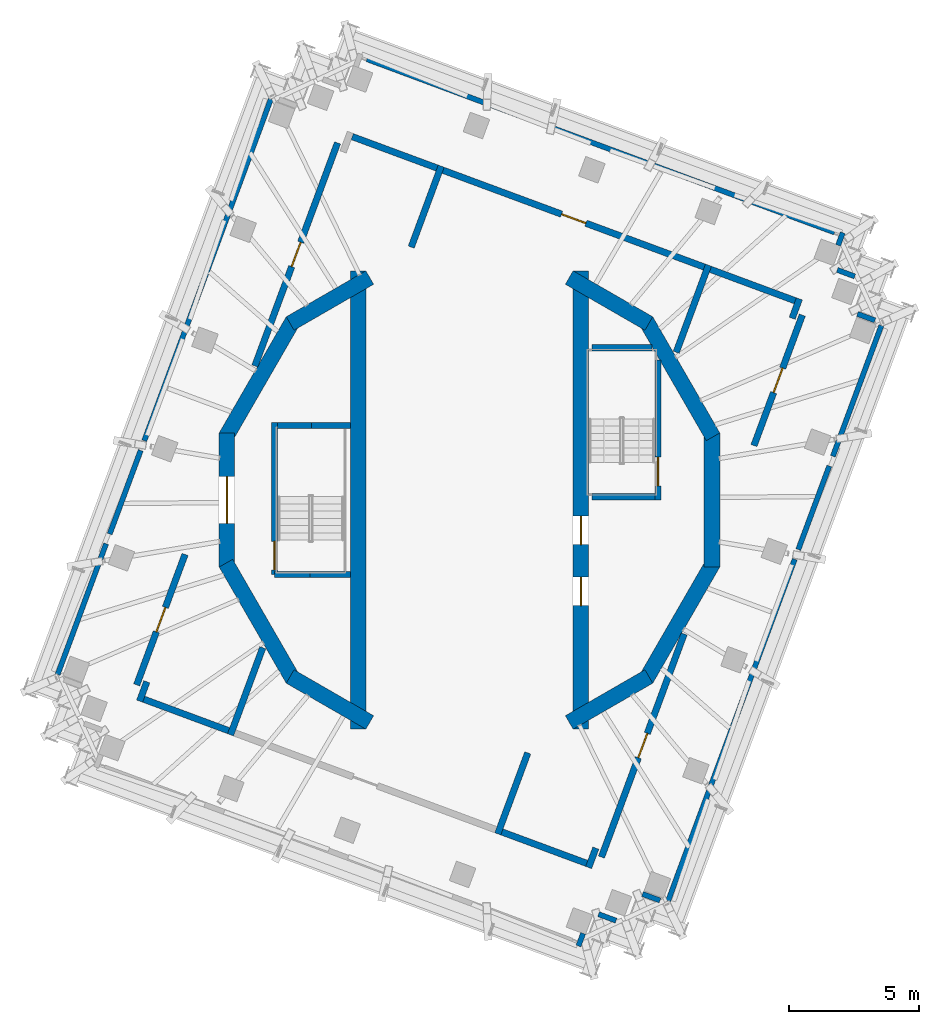
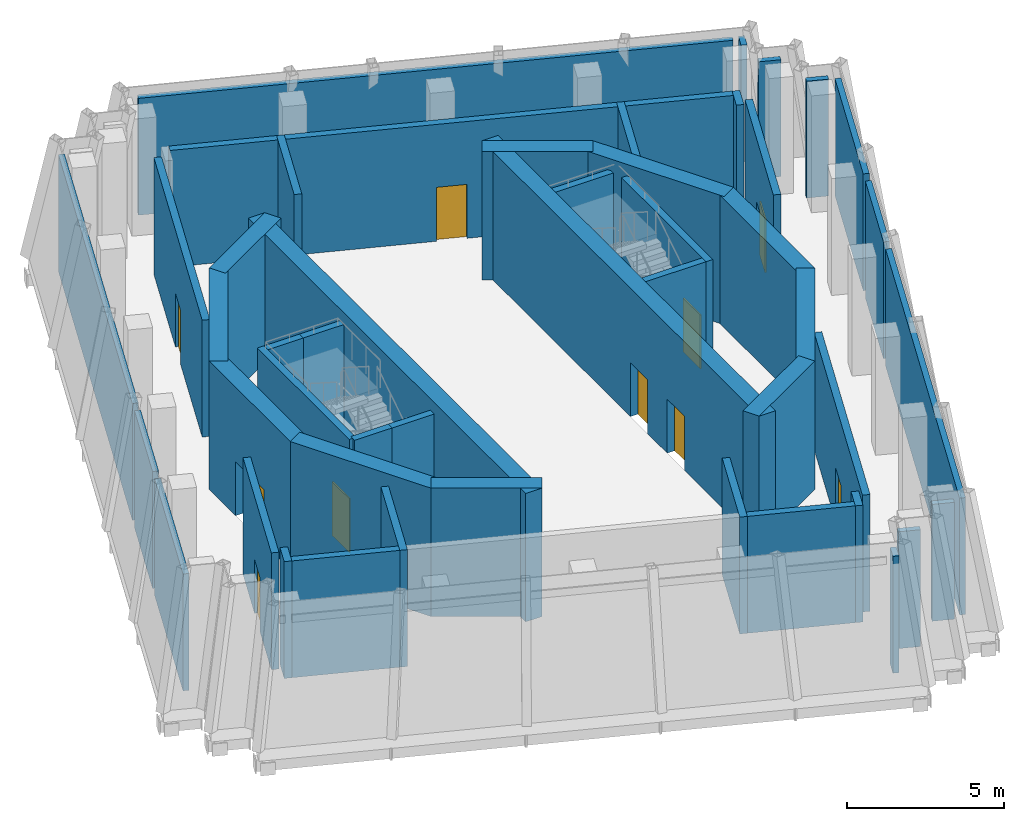
# One storey, part 5 of 13: 49 walls, 10 doors, 10 openings.
"""IFC4 building model written with IfcOpenShell, lengths in metres."""

from ifc_helpers import new_model, si_unit, direction, frame, frame_2d, origin, place, context, subcontext, project, spatial, rectangle, extrude, material, layer, layer_set, type_object, element, fill, save


model = new_model("IFC4")

# Units and contexts
model_context = context("Model", 3, precision=1e-05, world=origin(), true_north=direction((0.0, 1.0)))
body_context = subcontext(model_context, "Body", "Model", "MODEL_VIEW")
ifc_project = project(units=[si_unit("LENGTHUNIT", "METRE"), si_unit("AREAUNIT", "SQUARE_METRE"), si_unit("VOLUMEUNIT", "CUBIC_METRE"), si_unit("PLANEANGLEUNIT", "RADIAN"), si_unit("MASSUNIT", "GRAM", prefix="KILO")], contexts=[model_context])

# Site, building, storey
site_placement = place(None, origin())
site = spatial("IfcSite", under=ifc_project, at=site_placement, CompositionType="ELEMENT")
building_placement = place(site_placement, origin())
building = spatial("IfcBuilding", under=site, at=building_placement, Name="Cantera Rosa Tower", CompositionType="ELEMENT")
storey_placement = place(building_placement, frame((0.0, 0.0, 355.699951171875)))
storey = spatial("IfcBuildingStorey", under=building, at=storey_placement, Name="L80", CompositionType="ELEMENT", Elevation=355.699951171875)

# Walls
ifc_material_1 = material(Name="Masonry blockwork", Category="masonry")
ifc_layer_1 = layer(ifc_material_1, 0.199951171875)
ifc_layer_set_1 = layer_set([ifc_layer_1], Name="Blockwork partition 200")
wall_type_1 = type_object("IfcWallType", Name="Blockwork partition 200", PredefinedType="PARTITIONING", material=ifc_layer_set_1)
wall_1_placement = place(storey_placement, frame((5.655517578125, -16.23388671875, 0.0), z_axis=(0.0, 0.0, 1.0), x_axis=(-0.937646454499, 0.347590457816, 0.0)))
element("IfcWall", 1, at=wall_1_placement, inside=storey, type_object=wall_type_1, Name="Partition L80-21", PredefinedType="PARTITIONING", context=body_context, shape_type="SweptSolid", body=[
    extrude(rectangle(XDim=0.719970703125, YDim=0.199951171875, at=frame_2d((0.35986328125, 0.0))), origin(), (0.0, 0.0, 1.0), 4.550048828125),
])
wall_2_placement = place(storey_placement, frame((4.20556640625, -17.210693359375, 0.0), z_axis=(0.0, 0.0, 1.0), x_axis=(0.347545352018, 0.937663174221, 0.0)))
element("IfcWall", 2, at=wall_2_placement, inside=storey, type_object=wall_type_1, Name="Partition L80-23", PredefinedType="PARTITIONING", context=body_context, shape_type="SweptSolid", body=[
    extrude(rectangle(XDim=0.516357421875, YDim=0.199951171875, at=frame_2d((0.25830078125, 0.0))), origin(), (0.0, 0.0, 1.0), 4.550048828125),
])
wall_3_placement = place(storey_placement, frame((14.22607421875, 9.82958984375, 0.0), z_axis=(0.0, 0.0, 1.0), x_axis=(0.347391322771, 0.937720250855, 0.0)))
element("IfcWall", 3, at=wall_3_placement, inside=storey, type_object=wall_type_1, Name="Partition L80-24", PredefinedType="PARTITIONING", context=body_context, shape_type="SweptSolid", body=[
    extrude(rectangle(XDim=0.5166015625, YDim=0.199951171875, at=frame_2d((0.25830078125, 0.0))), origin(), (0.0, 0.0, 1.0), 4.550048828125),
])
wall_4_placement = place(storey_placement, frame((7.351806640625, -15.45458984375, 0.0), z_axis=(0.0, 0.0, 1.0), x_axis=(-0.937756942673, 0.34729226376, 0.0)))
element("IfcWall", 4, at=wall_4_placement, inside=storey, type_object=wall_type_1, Name="Partition L80-28", PredefinedType="PARTITIONING", context=body_context, shape_type="SweptSolid", body=[
    extrude(rectangle(XDim=0.719970703125, YDim=0.199951171875, at=frame_2d((0.35986328125, 0.0))), origin(), (0.0, 0.0, 1.0), 4.550048828125),
])
wall_5_placement = place(storey_placement, frame((-15.894287109375, -6.733642578125, 0.0), z_axis=(0.0, 0.0, 1.0), x_axis=(0.347466541692, 0.937692381543, 0.0)))
element("IfcWall", 5, at=wall_5_placement, inside=storey, type_object=wall_type_1, Name="Partition L80-30", PredefinedType="PARTITIONING", context=body_context, shape_type="SweptSolid", body=[
    extrude(rectangle(XDim=5.38134765625, YDim=0.199951171875, at=frame_2d((2.690673828125, 0.0))), origin(), (0.0, 0.0, 1.0), 4.550048828125),
])
wall_6_placement = place(storey_placement, frame((-13.88525390625, -1.3125, 0.0), z_axis=(0.0, 0.0, 1.0), x_axis=(0.347464624202, 0.937693092076, 0.0)))
element("IfcWall", 6, at=wall_6_placement, inside=storey, type_object=wall_type_1, Name="Partition L80-31", PredefinedType="PARTITIONING", context=body_context, shape_type="SweptSolid", body=[
    extrude(rectangle(XDim=3.439453125, YDim=0.199951171875, at=frame_2d((1.7197265625, 0.0))), origin(), (0.0, 0.0, 1.0), 4.550048828125),
])
wall_7_placement = place(storey_placement, frame((-12.55126953125, 2.28759765625, 0.0), z_axis=(0.0, 0.0, 1.0), x_axis=(0.347486357389, 0.937685038501, 0.0)))
element("IfcWall", 7, at=wall_7_placement, inside=storey, type_object=wall_type_1, Name="Partition L80-32", PredefinedType="PARTITIONING", context=body_context, shape_type="SweptSolid", body=[
    extrude(rectangle(XDim=14.05322265625, YDim=0.199951171875, at=frame_2d((7.026611328125, 0.0))), origin(), (0.0, 0.0, 1.0), 4.550048828125),
])
wall_8_placement = place(storey_placement, frame((15.647705078125, 6.931640625, 0.0), z_axis=(0.0, 0.0, 1.0), x_axis=(-0.937687406259, 0.347479967974, 0.0)))
element("IfcWall", 8, at=wall_8_placement, inside=storey, type_object=wall_type_1, Name="Partition L80-33", PredefinedType="PARTITIONING", context=body_context, shape_type="SweptSolid", body=[
    extrude(rectangle(XDim=0.72021484375, YDim=0.199951171875, at=frame_2d((0.360107421875, 0.0))), origin(), (0.0, 0.0, 1.0), 4.550048828125),
])
wall_9_placement = place(storey_placement, frame((14.86865234375, 8.628173828125, 0.0), z_axis=(0.0, 0.0, 1.0), x_axis=(-0.937646454499, 0.347590457816, 0.0)))
element("IfcWall", 9, at=wall_9_placement, inside=storey, type_object=wall_type_1, Name="Partition L80-35", PredefinedType="PARTITIONING", context=body_context, shape_type="SweptSolid", body=[
    extrude(rectangle(XDim=0.719970703125, YDim=0.199951171875, at=frame_2d((0.35986328125, 0.0))), origin(), (0.0, 0.0, 1.0), 4.550048828125),
])
wall_10_placement = place(storey_placement, frame((14.089599609375, 10.324462890625, 0.0), z_axis=(0.0, 0.0, 1.0), x_axis=(-0.93768831021, 0.347477528619, 0.0)))
element("IfcWall", 10, at=wall_10_placement, inside=storey, type_object=wall_type_1, Name="Partition L80-37", PredefinedType="PARTITIONING", context=body_context, shape_type="SweptSolid", body=[
    extrude(rectangle(XDim=19.248046875, YDim=0.199951171875, at=frame_2d((9.6240234375, 0.0))), origin(), (0.0, 0.0, 1.0), 4.550048828125),
])
wall_11_placement = place(storey_placement, frame((7.66796875, -15.465087890625, 0.0), z_axis=(0.0, 0.0, 1.0), x_axis=(0.347486357389, 0.937685038501, 0.0)))
element("IfcWall", 11, at=wall_11_placement, inside=storey, type_object=wall_type_1, Name="Partition L80-38", PredefinedType="PARTITIONING", context=body_context, shape_type="SweptSolid", body=[
    extrude(rectangle(XDim=14.05322265625, YDim=0.199951171875, at=frame_2d((7.026611328125, 0.0))), origin(), (0.0, 0.0, 1.0), 4.550048828125),
])
wall_12_placement = place(storey_placement, frame((12.690185546875, -1.91259765625, 0.0), z_axis=(0.0, 0.0, 1.0), x_axis=(0.347464624202, 0.937693092076, 0.0)))
element("IfcWall", 12, at=wall_12_placement, inside=storey, type_object=wall_type_1, Name="Partition L80-39", PredefinedType="PARTITIONING", context=body_context, shape_type="SweptSolid", body=[
    extrude(rectangle(XDim=3.439453125, YDim=0.199951171875, at=frame_2d((1.7197265625, 0.0))), origin(), (0.0, 0.0, 1.0), 4.550048828125),
])
wall_13_placement = place(storey_placement, frame((14.0244140625, 1.6875, 0.0), z_axis=(0.0, 0.0, 1.0), x_axis=(0.347466541692, 0.937692381543, 0.0)))
element("IfcWall", 13, at=wall_13_placement, inside=storey, type_object=wall_type_1, Name="Partition L80-40", PredefinedType="PARTITIONING", context=body_context, shape_type="SweptSolid", body=[
    extrude(rectangle(XDim=5.38134765625, YDim=0.199951171875, at=frame_2d((2.690673828125, 0.0))), origin(), (0.0, 0.0, 1.0), 4.550048828125),
])
ifc_material_2 = material(Name="Masonry blockwork", Category="masonry")
ifc_layer_2 = layer(ifc_material_2, 0.25)
ifc_layer_set_2 = layer_set([ifc_layer_2], Name="Fire-rated wall 250")
wall_type_2 = type_object("IfcWallType", Name="Fire-rated wall 250", PredefinedType="PARTITIONING", material=ifc_layer_set_2)
wall_14_placement = place(storey_placement, frame((-9.223388671875, -9.061767578125, 0.0), z_axis=(0.0, 0.0, 1.0), x_axis=(0.347456306275, 0.937696174264, 0.0)))
element("IfcWall", 14, at=wall_14_placement, inside=storey, type_object=wall_type_2, Name="Fire wall L80-1", PredefinedType="PARTITIONING", context=body_context, shape_type="SweptSolid", body=[
    extrude(rectangle(XDim=3.5849609375, YDim=0.25, at=frame_2d((1.79248046875, 0.0))), origin(), (0.0, 0.0, 1.0), 4.550048828125),
])
wall_15_placement = place(storey_placement, frame((-2.2490234375, 9.75927734375, 0.0), z_axis=(0.0, 0.0, 1.0), x_axis=(0.34748376403, 0.937685999541, 0.0)))
element("IfcWall", 15, at=wall_15_placement, inside=storey, type_object=wall_type_2, Name="Fire wall L80-2", PredefinedType="PARTITIONING", context=body_context, shape_type="SweptSolid", body=[
    extrude(rectangle(XDim=3.33251953125, YDim=0.25, at=frame_2d((1.666259765625, 0.0))), origin(), (0.0, 0.0, 1.0), 4.550048828125),
])
for number, where, z_axis, x_axis, name in (
    (16, (4.523681640625, -14.022705078125, 0.0), (0.0, 0.0, 1.0), (-0.937696422602, 0.347455636073, 0.0), "Fire wall L80-3"),
    (17, (-9.29736328125, -8.90087890625, 0.0), (0.0, 0.0, 1.0), (-0.937696422602, 0.347455636073, 0.0), "Fire wall L80-5"),
):
    element("IfcWall", number, at=place(storey_placement, frame(where, z_axis=z_axis, x_axis=x_axis)), inside=storey, type_object=wall_type_2, Name=name, PredefinedType="PARTITIONING", context=body_context, shape_type="SweptSolid", body=[
        extrude(rectangle(XDim=3.4892578125, YDim=0.25, at=frame_2d((1.74462890625, 0.0))), origin(), (0.0, 0.0, 1.0), 4.550048828125),
    ])
wall_16_placement = place(storey_placement, frame((-12.72998046875, -7.76220703125, 0.0), z_axis=(0.0, 0.0, 1.0), x_axis=(0.347403916694, 0.937715585167, 0.0)))
element("IfcWall", 18, at=wall_16_placement, inside=storey, type_object=wall_type_2, Name="Fire wall L80-6", PredefinedType="PARTITIONING", context=body_context, shape_type="SweptSolid", body=[
    extrude(rectangle(XDim=0.799072265625, YDim=0.25, at=frame_2d((0.3994140625, 0.0))), origin(), (0.0, 0.0, 1.0), 4.550048828125),
])

# Wall, opening, door
wall_17_placement = place(storey_placement, frame((-12.843505859375, -7.134521484375, 0.0), z_axis=(0.0, 0.0, 1.0), x_axis=(0.347497992928, 0.937680726533, 0.0)))
wall_17 = element("IfcWall", 19, at=wall_17_placement, inside=storey, type_object=wall_type_2, Name="Fire wall L80-8", PredefinedType="PARTITIONING", context=body_context, shape_type="SweptSolid", body=[
    extrude(rectangle(XDim=5.368896484375, YDim=0.25, at=frame_2d((2.6845703125, 0.0))), origin(), (0.0, 0.0, 1.0), 4.550048828125),
])
opening_1_placement = place(wall_17_placement, frame((2.1845703125, 0.0, 0.0)))
opening_1 = element("IfcOpeningElement", 20, at=opening_1_placement, cuts=wall_17, Name="Opening L80-001", PredefinedType="OPENING", context=body_context, shape_type="SweptSolid", body=[
    extrude(rectangle(XDim=1.0, YDim=2.10009765625, at=frame_2d((0.5, 1.050048828125))), frame((0.0, 0.135009765625, 0.0), z_axis=(0.0, -1.0, 0.0), x_axis=(1.0, 0.0, 0.0)), (0.0, 0.0, 1.0), 0.27001953125),
])
ifc_material_3 = material(Name="Steel S355J2 (EN 10025-2)", Category="steel")
door_type_1 = type_object("IfcDoorType", Name="Fire door 1000x2100", OperationType="NOTDEFINED", PredefinedType="DOOR", material=ifc_material_3)
door_1_placement = place(opening_1_placement, origin())
door_1 = element("IfcDoor", 21, at=door_1_placement, inside=storey, type_object=door_type_1, Name="Door L80-001", OverallHeight=2.10009765625, OverallWidth=1.0, PredefinedType="DOOR", context=body_context, shape_type="SweptSolid", body=[
    extrude(rectangle(XDim=1.0, YDim=2.10009765625, at=frame_2d((0.5, 1.050048828125))), frame((0.0, 0.02490234375, 0.0), z_axis=(0.0, -1.0, 0.0), x_axis=(1.0, 0.0, 0.0)), (0.0, 0.0, 1.0), 0.050048828125),
])
fill(opening_1, door_1)

wall_18_placement = place(storey_placement, frame((-8.282958984375, 5.172119140625, 0.0), z_axis=(0.0, 0.0, 1.0), x_axis=(0.347492757029, 0.937682666904, 0.0)))
wall_18 = element("IfcWall", 22, at=wall_18_placement, inside=storey, type_object=wall_type_2, Name="Fire wall L80-10", PredefinedType="PARTITIONING", context=body_context, shape_type="SweptSolid", body=[
    extrude(rectangle(XDim=9.181396484375, YDim=0.25, at=frame_2d((4.5908203125, 0.0))), origin(), (0.0, 0.0, 1.0), 4.550048828125),
])
opening_2_placement = place(wall_18_placement, frame((4.0908203125, 0.0, 0.0)))
opening_2 = element("IfcOpeningElement", 23, at=opening_2_placement, cuts=wall_18, Name="Opening L80-002", PredefinedType="OPENING", context=body_context, shape_type="SweptSolid", body=[
    extrude(rectangle(XDim=1.0, YDim=2.10009765625, at=frame_2d((0.5, 1.050048828125))), frame((0.0, 0.135009765625, 0.0), z_axis=(0.0, -1.0, 0.0), x_axis=(1.0, 0.0, 0.0)), (0.0, 0.0, 1.0), 0.27001953125),
])
door_2_placement = place(opening_2_placement, origin())
door_2 = element("IfcDoor", 24, at=door_2_placement, inside=storey, type_object=door_type_1, Name="Door L80-002", OverallHeight=2.10009765625, OverallWidth=1.0, PredefinedType="DOOR", context=body_context, shape_type="SweptSolid", body=[
    extrude(rectangle(XDim=1.0, YDim=2.10009765625, at=frame_2d((0.5, 1.050048828125))), frame((0.0, 0.02490234375, 0.0), z_axis=(0.0, -1.0, 0.0), x_axis=(1.0, 0.0, 0.0)), (0.0, 0.0, 1.0), 0.050048828125),
])
fill(opening_2, door_2)

# Wall
wall_19_placement = place(storey_placement, frame((12.5693359375, 7.6884765625, 0.0), z_axis=(0.0, 0.0, 1.0), x_axis=(-0.937696422602, 0.347455636073, 0.0)))
element("IfcWall", 25, at=wall_19_placement, inside=storey, type_object=wall_type_2, Name="Fire wall L80-11", PredefinedType="PARTITIONING", context=body_context, shape_type="SweptSolid", body=[
    extrude(rectangle(XDim=3.4892578125, YDim=0.25, at=frame_2d((1.74462890625, 0.0))), origin(), (0.0, 0.0, 1.0), 4.550048828125),
])

# Wall, opening, door
wall_20_placement = place(storey_placement, frame((9.06298828125, 8.98779296875, 0.0), z_axis=(0.0, 0.0, 1.0), x_axis=(-0.937683818754, 0.347489648835, 0.0)))
wall_20 = element("IfcWall", 26, at=wall_20_placement, inside=storey, type_object=wall_type_2, Name="Fire wall L80-12", PredefinedType="PARTITIONING", context=body_context, shape_type="SweptSolid", body=[
    extrude(rectangle(XDim=10.750244140625, YDim=0.25, at=frame_2d((5.375, 0.0))), origin(), (0.0, 0.0, 1.0), 4.550048828125),
])
opening_3_placement = place(wall_20_placement, frame((4.875, 0.0, 0.0)))
opening_3 = element("IfcOpeningElement", 27, at=opening_3_placement, cuts=wall_20, Name="Opening L80-003", PredefinedType="OPENING", context=body_context, shape_type="SweptSolid", body=[
    extrude(rectangle(XDim=1.0, YDim=2.10009765625, at=frame_2d((0.5, 1.050048828125))), frame((0.0, 0.135009765625, 0.0), z_axis=(0.0, -1.0, 0.0), x_axis=(1.0, 0.0, 0.0)), (0.0, 0.0, 1.0), 0.27001953125),
])
door_3_placement = place(opening_3_placement, origin())
door_3 = element("IfcDoor", 28, at=door_3_placement, inside=storey, type_object=door_type_1, Name="Door L80-003", OverallHeight=2.10009765625, OverallWidth=1.0, PredefinedType="DOOR", context=body_context, shape_type="SweptSolid", body=[
    extrude(rectangle(XDim=1.0, YDim=2.10009765625, at=frame_2d((0.5, 1.050048828125))), frame((0.0, 0.02490234375, 0.0), z_axis=(0.0, -1.0, 0.0), x_axis=(1.0, 0.0, 0.0)), (0.0, 0.0, 1.0), 0.050048828125),
])
fill(opening_3, door_3)

# Walls
wall_21_placement = place(storey_placement, frame((-1.251708984375, 12.810302734375, 0.0), z_axis=(0.0, 0.0, 1.0), x_axis=(-0.937696422602, 0.347455636073, 0.0)))
element("IfcWall", 29, at=wall_21_placement, inside=storey, type_object=wall_type_2, Name="Fire wall L80-13", PredefinedType="PARTITIONING", context=body_context, shape_type="SweptSolid", body=[
    extrude(rectangle(XDim=3.4892578125, YDim=0.25, at=frame_2d((1.74462890625, 0.0))), origin(), (0.0, 0.0, 1.0), 4.550048828125),
])
wall_22_placement = place(storey_placement, frame((1.091064453125, -12.884033203125, 0.0), z_axis=(0.0, 0.0, 1.0), x_axis=(0.34748376403, 0.937685999541, 0.0)))
element("IfcWall", 30, at=wall_22_placement, inside=storey, type_object=wall_type_2, Name="Fire wall L80-14", PredefinedType="PARTITIONING", context=body_context, shape_type="SweptSolid", body=[
    extrude(rectangle(XDim=3.33251953125, YDim=0.25, at=frame_2d((1.666259765625, 0.0))), origin(), (0.0, 0.0, 1.0), 4.550048828125),
])
wall_23_placement = place(storey_placement, frame((7.977783203125, 5.7001953125, 0.0), z_axis=(0.0, 0.0, 1.0), x_axis=(0.347456306275, 0.937696174264, 0.0)))
element("IfcWall", 31, at=wall_23_placement, inside=storey, type_object=wall_type_2, Name="Fire wall L80-15", PredefinedType="PARTITIONING", context=body_context, shape_type="SweptSolid", body=[
    extrude(rectangle(XDim=3.5849609375, YDim=0.25, at=frame_2d((1.79248046875, 0.0))), origin(), (0.0, 0.0, 1.0), 4.550048828125),
])

# Wall, opening, door
wall_24_placement = place(storey_placement, frame((5.092529296875, -13.78125, 0.0), z_axis=(0.0, 0.0, 1.0), x_axis=(0.347492757029, 0.937682666904, 0.0)))
wall_24 = element("IfcWall", 32, at=wall_24_placement, inside=storey, type_object=wall_type_2, Name="Fire wall L80-16", PredefinedType="PARTITIONING", context=body_context, shape_type="SweptSolid", body=[
    extrude(rectangle(XDim=9.181396484375, YDim=0.25, at=frame_2d((4.5908203125, 0.0))), origin(), (0.0, 0.0, 1.0), 4.550048828125),
])
opening_4_placement = place(wall_24_placement, frame((4.0908203125, 0.0, 0.0)))
opening_4 = element("IfcOpeningElement", 33, at=opening_4_placement, cuts=wall_24, Name="Opening L80-004", PredefinedType="OPENING", context=body_context, shape_type="SweptSolid", body=[
    extrude(rectangle(XDim=1.0, YDim=2.10009765625, at=frame_2d((0.5, 1.050048828125))), frame((0.0, 0.135009765625, 0.0), z_axis=(0.0, -1.0, 0.0), x_axis=(1.0, 0.0, 0.0)), (0.0, 0.0, 1.0), 0.27001953125),
])
door_4_placement = place(opening_4_placement, origin())
door_4 = element("IfcDoor", 34, at=door_4_placement, inside=storey, type_object=door_type_1, Name="Door L80-004", OverallHeight=2.10009765625, OverallWidth=1.0, PredefinedType="DOOR", context=body_context, shape_type="SweptSolid", body=[
    extrude(rectangle(XDim=1.0, YDim=2.10009765625, at=frame_2d((0.5, 1.050048828125))), frame((0.0, 0.02490234375, 0.0), z_axis=(0.0, -1.0, 0.0), x_axis=(1.0, 0.0, 0.0)), (0.0, 0.0, 1.0), 0.050048828125),
])
fill(opening_4, door_4)

wall_25_placement = place(storey_placement, frame((10.977783203125, 2.10009765625, 0.0), z_axis=(0.0, 0.0, 1.0), x_axis=(0.347497992928, 0.937680726533, 0.0)))
wall_25 = element("IfcWall", 35, at=wall_25_placement, inside=storey, type_object=wall_type_2, Name="Fire wall L80-18", PredefinedType="PARTITIONING", context=body_context, shape_type="SweptSolid", body=[
    extrude(rectangle(XDim=5.368896484375, YDim=0.25, at=frame_2d((2.6845703125, 0.0))), origin(), (0.0, 0.0, 1.0), 4.550048828125),
])
opening_5_placement = place(wall_25_placement, frame((2.1845703125, 0.0, 0.0)))
opening_5 = element("IfcOpeningElement", 36, at=opening_5_placement, cuts=wall_25, Name="Opening L80-005", PredefinedType="OPENING", context=body_context, shape_type="SweptSolid", body=[
    extrude(rectangle(XDim=1.0, YDim=2.10009765625, at=frame_2d((0.5, 1.050048828125))), frame((0.0, 0.135009765625, 0.0), z_axis=(0.0, -1.0, 0.0), x_axis=(1.0, 0.0, 0.0)), (0.0, 0.0, 1.0), 0.27001953125),
])
door_5_placement = place(opening_5_placement, origin())
door_5 = element("IfcDoor", 37, at=door_5_placement, inside=storey, type_object=door_type_1, Name="Door L80-005", OverallHeight=2.10009765625, OverallWidth=1.0, PredefinedType="DOOR", context=body_context, shape_type="SweptSolid", body=[
    extrude(rectangle(XDim=1.0, YDim=2.10009765625, at=frame_2d((0.5, 1.050048828125))), frame((0.0, 0.02490234375, 0.0), z_axis=(0.0, -1.0, 0.0), x_axis=(1.0, 0.0, 0.0)), (0.0, 0.0, 1.0), 0.050048828125),
])
fill(opening_5, door_5)

# Walls
for number, where, z_axis, x_axis, name in (
    (38, (4.597412109375, -14.183349609375, 0.0), (0.0, 0.0, 1.0), (0.347672542266, 0.937616021277, 0.0), "Fire wall L80-19"),
    (39, (12.452392578125, 7.012939453125, 0.0), (0.0, 0.0, 1.0), (0.347403916694, 0.937715585167, 0.0), "Fire wall L80-20"),
):
    element("IfcWall", number, at=place(storey_placement, frame(where, z_axis=z_axis, x_axis=x_axis)), inside=storey, type_object=wall_type_2, Name=name, PredefinedType="PARTITIONING", context=body_context, shape_type="SweptSolid", body=[
        extrude(rectangle(XDim=0.799072265625, YDim=0.25, at=frame_2d((0.3994140625, 0.0))), origin(), (0.0, 0.0, 1.0), 4.550048828125),
    ])
ifc_material_4 = material(Name="Concrete C50/60", Category="concrete")
ifc_layer_3 = layer(ifc_material_4, 0.60009765625)
ifc_layer_set_3 = layer_set([ifc_layer_3], Name="RC CORE WALL 600 C50/60")
wall_type_3 = type_object("IfcWallType", Name="RC CORE WALL 600 C50/60", PredefinedType="SHEAR", material=ifc_layer_set_3)
wall_26_placement = place(storey_placement, frame((-3.85009765625, -8.584228515625, 0.0), z_axis=(0.0, 0.0, 1.0), x_axis=(-0.866039982607, 0.499974747889, 0.0)))
element("IfcWall", 40, at=wall_26_placement, inside=storey, type_object=wall_type_3, Name="CW-W1 L80", PredefinedType="SHEAR", context=body_context, shape_type="SweptSolid", body=[
    extrude(rectangle(XDim=3.546142578125, YDim=0.60009765625, at=frame_2d((1.77294921875, 0.0))), origin(), (0.0, 0.0, 1.0), 5.0),
])
wall_27_placement = place(storey_placement, frame((-6.811279296875, -6.921142578125, 0.0), z_axis=(0.0, 0.0, 1.0), x_axis=(-0.499989188378, 0.866031645787, 0.0)))
element("IfcWall", 41, at=wall_27_placement, inside=storey, type_object=wall_type_3, Name="CW-W2 L80", PredefinedType="SHEAR", context=body_context, shape_type="SweptSolid", body=[
    extrude(rectangle(XDim=5.17626953125, YDim=0.60009765625, at=frame_2d((2.588134765625, 0.0))), origin(), (0.0, 0.0, 1.0), 5.0),
])

# Wall, opening, door
wall_28_placement = place(storey_placement, frame((-9.359375, -2.588134765625, 0.0), z_axis=(0.0, 0.0, 1.0), x_axis=(0.0, 1.0, 0.0)))
wall_28 = element("IfcWall", 42, at=wall_28_placement, inside=storey, type_object=wall_type_3, Name="CW-W3 L80", PredefinedType="SHEAR", context=body_context, shape_type="SweptSolid", body=[
    extrude(rectangle(XDim=5.17626953125, YDim=0.60009765625, at=frame_2d((2.588134765625, 0.0))), origin(), (0.0, 0.0, 1.0), 5.0),
])
opening_6_placement = place(wall_28_placement, frame((1.688232421875, 0.0, 0.0)))
opening_6 = element("IfcOpeningElement", 43, at=opening_6_placement, cuts=wall_28, Name="Opening L80-ST-71-L", PredefinedType="OPENING", context=body_context, shape_type="SweptSolid", body=[
    extrude(rectangle(XDim=1.800048828125, YDim=2.10009765625, at=frame_2d((0.89990234375, 1.050048828125))), frame((0.0, 0.31005859375, 0.0), z_axis=(0.0, -1.0, 0.0), x_axis=(1.0, 0.0, 0.0)), (0.0, 0.0, 1.0), 0.6201171875),
])
ifc_material_5 = material(Name="Steel S355J2 (EN 10025-2)", Category="steel")
door_type_2 = type_object("IfcDoorType", Name="FIRE DOOR 1800x2100", OperationType="NOTDEFINED", PredefinedType="DOOR", material=ifc_material_5)
door_6_placement = place(opening_6_placement, origin())
door_6 = element("IfcDoor", 44, at=door_6_placement, inside=storey, type_object=door_type_2, Name="DOOR L80-ST-71-L", OperationType="NOTDEFINED", OverallHeight=2.10009765625, OverallWidth=1.800048828125, PredefinedType="DOOR", context=body_context, shape_type="SweptSolid", body=[
    extrude(rectangle(XDim=1.800048828125, YDim=2.10009765625, at=frame_2d((0.89990234375, 1.050048828125))), frame((0.0, 0.02490234375, 0.0), z_axis=(0.0, -1.0, 0.0), x_axis=(1.0, 0.0, 0.0)), (0.0, 0.0, 1.0), 0.050048828125),
])
fill(opening_6, door_6)

# Walls
wall_29_placement = place(storey_placement, frame((-9.3994140625, 2.438232421875, 0.0), z_axis=(0.0, 0.0, 1.0), x_axis=(0.499989188378, 0.866031645787, 0.0)))
element("IfcWall", 45, at=wall_29_placement, inside=storey, type_object=wall_type_3, Name="CW-W4 L80", PredefinedType="SHEAR", context=body_context, shape_type="SweptSolid", body=[
    extrude(rectangle(XDim=5.17626953125, YDim=0.60009765625, at=frame_2d((2.588134765625, 0.0))), origin(), (0.0, 0.0, 1.0), 5.0),
])
wall_30_placement = place(storey_placement, frame((-6.921142578125, 6.811279296875, 0.0), z_axis=(0.0, 0.0, 1.0), x_axis=(0.866039982607, 0.499974747889, 0.0)))
element("IfcWall", 46, at=wall_30_placement, inside=storey, type_object=wall_type_3, Name="CW-W5 L80", PredefinedType="SHEAR", context=body_context, shape_type="SweptSolid", body=[
    extrude(rectangle(XDim=3.546142578125, YDim=0.60009765625, at=frame_2d((1.77294921875, 0.0))), origin(), (0.0, 0.0, 1.0), 5.0),
])
wall_31_placement = place(storey_placement, frame((-4.300048828125, 8.84423828125, 0.0), z_axis=(0.0, 0.0, 1.0), x_axis=(0.0, -1.0, 0.0)))
element("IfcWall", 47, at=wall_31_placement, inside=storey, type_object=wall_type_3, Name="CW-W6 L80", PredefinedType="SHEAR", context=body_context, shape_type="SweptSolid", body=[
    extrude(rectangle(XDim=17.6884765625, YDim=0.60009765625, at=frame_2d((8.84423828125, 0.0))), origin(), (0.0, 0.0, 1.0), 5.0),
])
wall_32_placement = place(storey_placement, frame((3.85009765625, 8.584228515625, 0.0), z_axis=(0.0, 0.0, 1.0), x_axis=(0.866039982607, -0.499974747889, 0.0)))
element("IfcWall", 48, at=wall_32_placement, inside=storey, type_object=wall_type_3, Name="CW-E1 L80", PredefinedType="SHEAR", context=body_context, shape_type="SweptSolid", body=[
    extrude(rectangle(XDim=3.546142578125, YDim=0.60009765625, at=frame_2d((1.77294921875, 0.0))), origin(), (0.0, 0.0, 1.0), 5.0),
])
for number, where, z_axis, x_axis, name in (
    (49, (6.811279296875, 6.921142578125, 0.0), (0.0, 0.0, 1.0), (0.499989188378, -0.866031645787, 0.0), "CW-E2 L80"),
    (50, (9.359375, 2.588134765625, 0.0), (0.0, 0.0, 1.0), (0.0, -1.0, 0.0), "CW-E3 L80"),
    (51, (9.3994140625, -2.438232421875, 0.0), (0.0, 0.0, 1.0), (-0.499989188378, -0.866031645787, 0.0), "CW-E4 L80"),
):
    element("IfcWall", number, at=place(storey_placement, frame(where, z_axis=z_axis, x_axis=x_axis)), inside=storey, type_object=wall_type_3, Name=name, PredefinedType="SHEAR", context=body_context, shape_type="SweptSolid", body=[
        extrude(rectangle(XDim=5.17626953125, YDim=0.60009765625, at=frame_2d((2.588134765625, 0.0))), origin(), (0.0, 0.0, 1.0), 5.0),
    ])
wall_33_placement = place(storey_placement, frame((6.921142578125, -6.811279296875, 0.0), z_axis=(0.0, 0.0, 1.0), x_axis=(-0.866039982607, -0.499974747889, 0.0)))
element("IfcWall", 52, at=wall_33_placement, inside=storey, type_object=wall_type_3, Name="CW-E5 L80", PredefinedType="SHEAR", context=body_context, shape_type="SweptSolid", body=[
    extrude(rectangle(XDim=3.546142578125, YDim=0.60009765625, at=frame_2d((1.77294921875, 0.0))), origin(), (0.0, 0.0, 1.0), 5.0),
])

# Wall, openings, doors
wall_34_placement = place(storey_placement, frame((4.300048828125, -8.84423828125, 0.0), z_axis=(0.0, 0.0, 1.0), x_axis=(0.0, 1.0, 0.0)))
wall_34 = element("IfcWall", 53, at=wall_34_placement, inside=storey, type_object=wall_type_3, Name="CW-E6 L80", PredefinedType="SHEAR", context=body_context, shape_type="SweptSolid", body=[
    extrude(rectangle(XDim=17.6884765625, YDim=0.60009765625, at=frame_2d((8.84423828125, 0.0))), origin(), (0.0, 0.0, 1.0), 5.0),
])
opening_7_placement = place(wall_34_placement, frame((4.76904296875, 0.0, 0.0)))
opening_7 = element("IfcOpeningElement", 54, at=opening_7_placement, cuts=wall_34, Name="Opening LD-FF1-L80", PredefinedType="OPENING", context=body_context, shape_type="SweptSolid", body=[
    extrude(rectangle(XDim=1.10009765625, YDim=2.10009765625, at=frame_2d((0.550048828125, 1.050048828125))), frame((0.0, 0.31005859375, 0.0), z_axis=(0.0, -1.0, 0.0), x_axis=(1.0, 0.0, 0.0)), (0.0, 0.0, 1.0), 0.6201171875),
])
opening_8_placement = place(wall_34_placement, frame((7.119140625, 0.0, 0.0)))
opening_8 = element("IfcOpeningElement", 55, at=opening_8_placement, cuts=wall_34, Name="Opening LD-FF2-L80", PredefinedType="OPENING", context=body_context, shape_type="SweptSolid", body=[
    extrude(rectangle(XDim=1.10009765625, YDim=2.10009765625, at=frame_2d((0.550048828125, 1.050048828125))), frame((0.0, 0.31005859375, 0.0), z_axis=(0.0, -1.0, 0.0), x_axis=(1.0, 0.0, 0.0)), (0.0, 0.0, 1.0), 0.6201171875),
])
ifc_material_6 = material(Name="Steel S355J2 (EN 10025-2)", Category="steel")
door_type_3 = type_object("IfcDoorType", Name="LANDING DOOR 1100x2100", OperationType="NOTDEFINED", PredefinedType="DOOR", material=ifc_material_6)
door_7_placement = place(opening_7_placement, origin())
door_7 = element("IfcDoor", 56, at=door_7_placement, inside=storey, type_object=door_type_3, Name="LANDING DOOR FF1 L80", OperationType="SLIDING_TO_LEFT", OverallHeight=2.10009765625, OverallWidth=1.10009765625, PredefinedType="DOOR", context=body_context, shape_type="SweptSolid", body=[
    extrude(rectangle(XDim=1.10009765625, YDim=2.10009765625, at=frame_2d((0.550048828125, 1.050048828125))), frame((0.0, 0.02490234375, 0.0), z_axis=(0.0, -1.0, 0.0), x_axis=(1.0, 0.0, 0.0)), (0.0, 0.0, 1.0), 0.050048828125),
])
fill(opening_7, door_7)
door_8_placement = place(opening_8_placement, origin())
door_8 = element("IfcDoor", 57, at=door_8_placement, inside=storey, type_object=door_type_3, Name="LANDING DOOR FF2 L80", OperationType="SLIDING_TO_LEFT", OverallHeight=2.10009765625, OverallWidth=1.10009765625, PredefinedType="DOOR", context=body_context, shape_type="SweptSolid", body=[
    extrude(rectangle(XDim=1.10009765625, YDim=2.10009765625, at=frame_2d((0.550048828125, 1.050048828125))), frame((0.0, 0.02490234375, 0.0), z_axis=(0.0, -1.0, 0.0), x_axis=(1.0, 0.0, 0.0)), (0.0, 0.0, 1.0), 0.050048828125),
])
fill(opening_8, door_8)

# Wall, opening, door
ifc_material_7 = material(Name="Concrete C50/60", Category="concrete")
ifc_layer_4 = layer(ifc_material_7, 0.25)
ifc_layer_set_4 = layer_set([ifc_layer_4], Name="STAIR WALL 250 H4550")
wall_type_4 = type_object("IfcWallType", Name="STAIR WALL 250 H4550", PredefinedType="SOLIDWALL", material=ifc_layer_set_4)
wall_35_placement = place(storey_placement, frame((-7.52490234375, -2.875, 0.0), z_axis=(0.0, 0.0, 1.0), x_axis=(0.0, 1.0, 0.0)))
wall_35 = element("IfcWall", 58, at=wall_35_placement, inside=storey, type_object=wall_type_4, Name="STAIR WALL ST-71 L80-1", PredefinedType="SOLIDWALL", context=body_context, shape_type="SweptSolid", body=[
    extrude(rectangle(XDim=5.875, YDim=0.25, at=frame_2d((2.9375, 0.0))), origin(), (0.0, 0.0, 1.0), 4.550048828125),
])
opening_9_placement = place(wall_35_placement, frame((0.175048828125, 0.0, 0.0)))
opening_9 = element("IfcOpeningElement", 59, at=opening_9_placement, cuts=wall_35, Name="Opening L80-ST-71", PredefinedType="OPENING", context=body_context, shape_type="SweptSolid", body=[
    extrude(rectangle(XDim=1.10009765625, YDim=2.10009765625, at=frame_2d((0.550048828125, 1.050048828125))), frame((0.0, 0.135009765625, 0.0), z_axis=(0.0, -1.0, 0.0), x_axis=(1.0, 0.0, 0.0)), (0.0, 0.0, 1.0), 0.27001953125),
])
ifc_material_8 = material(Name="Steel S355J2 (EN 10025-2)", Category="steel")
door_type_4 = type_object("IfcDoorType", Name="STAIR DOOR 1100x2100", OperationType="NOTDEFINED", PredefinedType="DOOR", material=ifc_material_8)
door_9_placement = place(opening_9_placement, origin())
door_9 = element("IfcDoor", 60, at=door_9_placement, inside=storey, type_object=door_type_4, Name="DOOR L80-ST-71", OperationType="NOTDEFINED", OverallHeight=2.10009765625, OverallWidth=1.10009765625, PredefinedType="DOOR", context=body_context, shape_type="SweptSolid", body=[
    extrude(rectangle(XDim=1.10009765625, YDim=2.10009765625, at=frame_2d((0.550048828125, 1.050048828125))), frame((0.0, 0.02490234375, 0.0), z_axis=(0.0, -1.0, 0.0), x_axis=(1.0, 0.0, 0.0)), (0.0, 0.0, 1.0), 0.050048828125),
])
fill(opening_9, door_9)

# Walls
wall_36_placement = place(storey_placement, frame((-7.39990234375, 2.875, 0.0), z_axis=(0.0, 0.0, 1.0), x_axis=(1.0, 0.0, 0.0)))
element("IfcWall", 61, at=wall_36_placement, inside=storey, type_object=wall_type_4, Name="STAIR WALL ST-71 L80-2", PredefinedType="SOLIDWALL", context=body_context, shape_type="SweptSolid", body=[
    extrude(rectangle(XDim=1.2998046875, YDim=0.25, at=frame_2d((0.64990234375, 0.0))), origin(), (0.0, 0.0, 1.0), 4.550048828125),
])
wall_37_placement = place(storey_placement, frame((-4.60009765625, -2.875, 0.0), z_axis=(0.0, 0.0, 1.0), x_axis=(-1.0, 0.0, 0.0)))
element("IfcWall", 62, at=wall_37_placement, inside=storey, type_object=wall_type_4, Name="STAIR WALL ST-71 L80-3", PredefinedType="SOLIDWALL", context=body_context, shape_type="SweptSolid", body=[
    extrude(rectangle(XDim=1.5498046875, YDim=0.25, at=frame_2d((0.77490234375, 0.0))), origin(), (0.0, 0.0, 1.0), 4.550048828125),
])
wall_38_placement = place(storey_placement, frame((4.72509765625, 5.875, 0.0), z_axis=(0.0, 0.0, 1.0), x_axis=(1.0, 0.0, 0.0)))
element("IfcWall", 63, at=wall_38_placement, inside=storey, type_object=wall_type_4, Name="STAIR WALL ST-72 L80-1", PredefinedType="SOLIDWALL", context=body_context, shape_type="SweptSolid", body=[
    extrude(rectangle(XDim=2.324462890625, YDim=0.25, at=frame_2d((1.162109375, 0.0))), origin(), (0.0, 0.0, 1.0), 4.550048828125),
])

# Wall, opening, door
wall_39_placement = place(storey_placement, frame((7.27490234375, 5.40087890625, 0.0), z_axis=(0.0, 0.0, 1.0), x_axis=(0.0, -1.0, 0.0)))
wall_39 = element("IfcWall", 64, at=wall_39_placement, inside=storey, type_object=wall_type_4, Name="STAIR WALL ST-72 L80-2", PredefinedType="SOLIDWALL", context=body_context, shape_type="SweptSolid", body=[
    extrude(rectangle(XDim=5.40087890625, YDim=0.25, at=frame_2d((2.700439453125, 0.0))), origin(), (0.0, 0.0, 1.0), 4.550048828125),
])
opening_10_placement = place(wall_39_placement, frame((3.7509765625, 0.0, 0.0)))
opening_10 = element("IfcOpeningElement", 65, at=opening_10_placement, cuts=wall_39, Name="Opening L80-ST-72", PredefinedType="OPENING", context=body_context, shape_type="SweptSolid", body=[
    extrude(rectangle(XDim=1.10009765625, YDim=2.10009765625, at=frame_2d((0.550048828125, 1.050048828125))), frame((0.0, 0.135009765625, 0.0), z_axis=(0.0, -1.0, 0.0), x_axis=(1.0, 0.0, 0.0)), (0.0, 0.0, 1.0), 0.27001953125),
])
door_10_placement = place(opening_10_placement, origin())
door_10 = element("IfcDoor", 66, at=door_10_placement, inside=storey, type_object=door_type_4, Name="DOOR L80-ST-72", OperationType="NOTDEFINED", OverallHeight=2.10009765625, OverallWidth=1.10009765625, PredefinedType="DOOR", context=body_context, shape_type="SweptSolid", body=[
    extrude(rectangle(XDim=1.10009765625, YDim=2.10009765625, at=frame_2d((0.550048828125, 1.050048828125))), frame((0.0, 0.02490234375, 0.0), z_axis=(0.0, -1.0, 0.0), x_axis=(1.0, 0.0, 0.0)), (0.0, 0.0, 1.0), 0.050048828125),
])
fill(opening_10, door_10)

# Walls
wall_40_placement = place(storey_placement, frame((7.14990234375, 0.125, 0.0), z_axis=(0.0, 0.0, 1.0), x_axis=(-1.0, 0.0, 0.0)))
element("IfcWall", 67, at=wall_40_placement, inside=storey, type_object=wall_type_4, Name="STAIR WALL ST-72 L80-3", PredefinedType="SOLIDWALL", context=body_context, shape_type="SweptSolid", body=[
    extrude(rectangle(XDim=2.4248046875, YDim=0.25, at=frame_2d((1.21240234375, 0.0))), origin(), (0.0, 0.0, 1.0), 4.550048828125),
])
wall_41_placement = place(storey_placement, frame((-6.10009765625, 2.875, 0.0), z_axis=(0.0, 0.0, 1.0), x_axis=(1.0, 0.0, 0.0)))
element("IfcWall", 68, at=wall_41_placement, inside=storey, type_object=wall_type_4, Name="STAIR WALL ST-71 L80-2 J", PredefinedType="SOLIDWALL", context=body_context, shape_type="SweptSolid", body=[
    extrude(rectangle(XDim=1.5, YDim=0.25, at=frame_2d((0.75, 0.0))), origin(), (0.0, 0.0, 1.0), 4.550048828125),
])
wall_42_placement = place(storey_placement, frame((-6.14990234375, -2.875, 0.0), z_axis=(0.0, 0.0, 1.0), x_axis=(-1.0, 0.0, 0.0)))
element("IfcWall", 69, at=wall_42_placement, inside=storey, type_object=wall_type_4, Name="STAIR WALL ST-71 L80-3 J", PredefinedType="SOLIDWALL", context=body_context, shape_type="SweptSolid", body=[
    extrude(rectangle(XDim=1.375, YDim=0.25, at=frame_2d((0.6875, 0.0))), origin(), (0.0, 0.0, 1.0), 4.550048828125),
])

save(model, "model.ifc")
